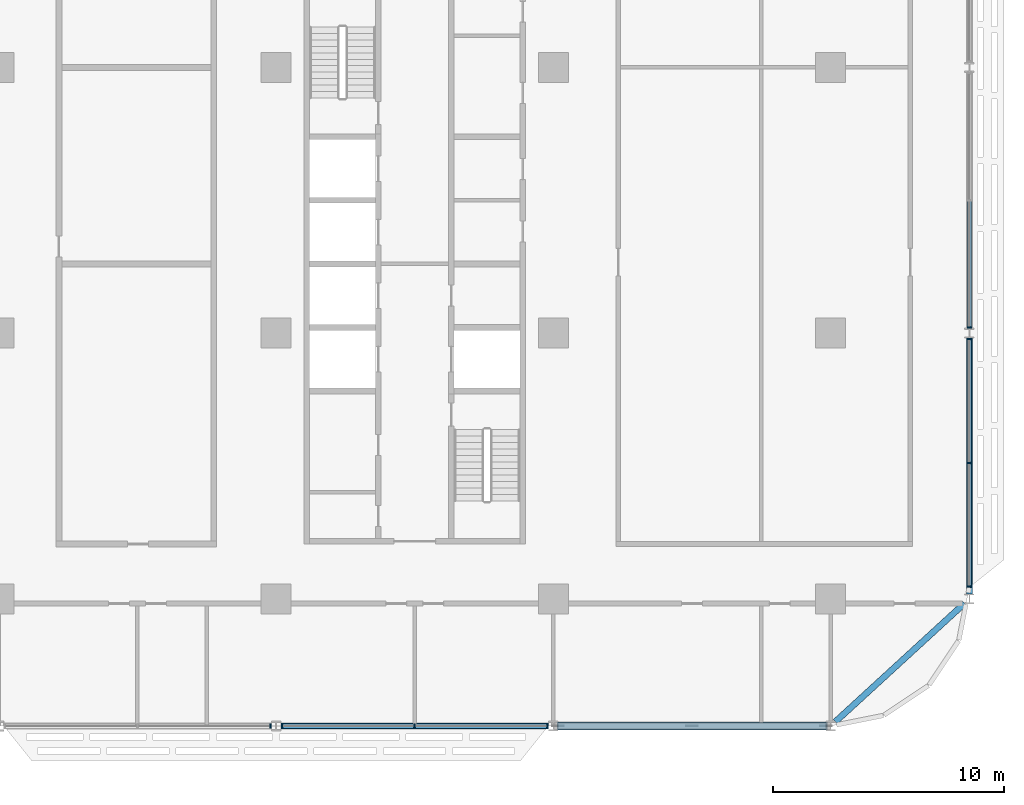
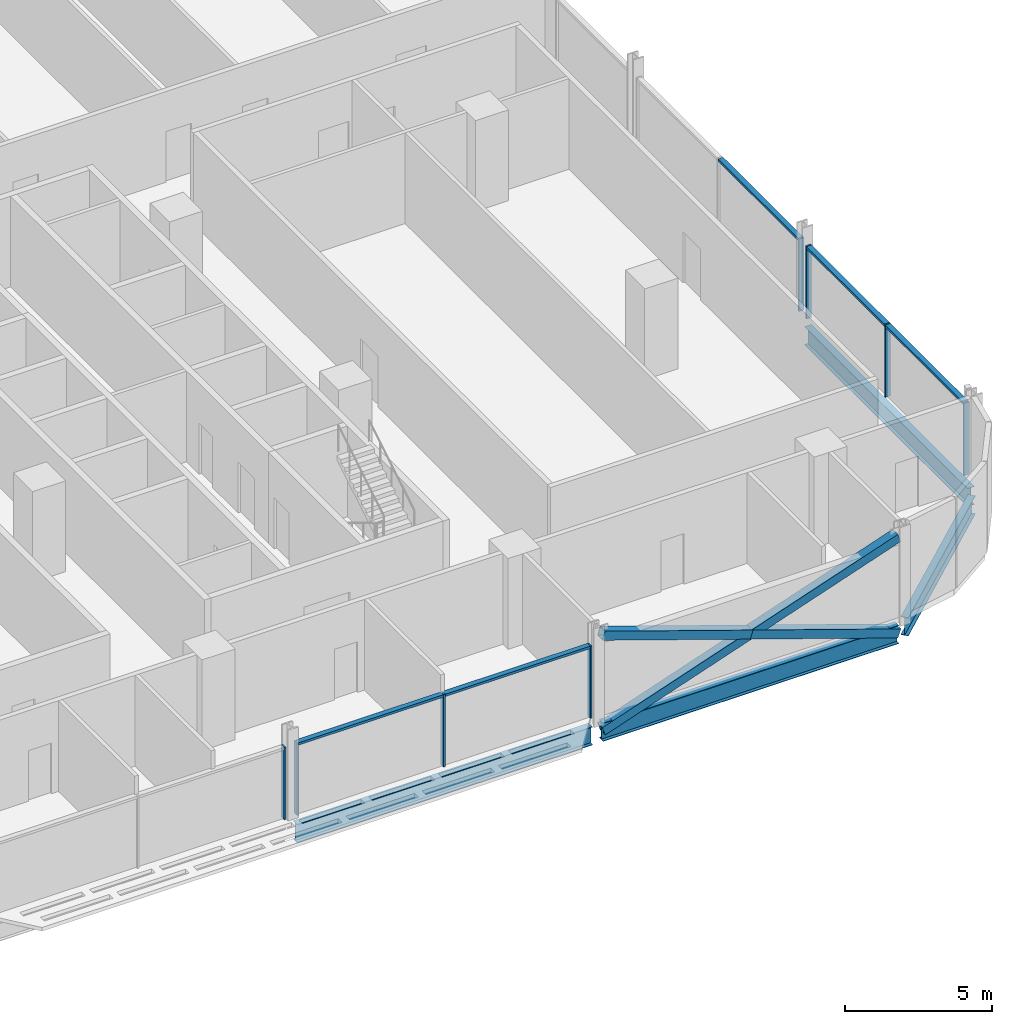
# One storey, part 8 of 29: 16 members, 4 beams, 4 elements without a shape of their own.
"""IFC4 building model written with IfcOpenShell, lengths in metres."""

from ifc_helpers import new_model, si_unit, direction, frame, origin, origin_2d, place, context, subcontext, project, spatial, rectangle, hollow_rectangle, i_section, extrude, material, material_profile, profile_set, type_object, element, aggregate, save


model = new_model("IFC4")

# Units and contexts
model_context = context("Model", 3, precision=1e-05, world=origin(), true_north=direction((0.0, 1.0)))
body_context = subcontext(model_context, "Body", "Model", "MODEL_VIEW")
ifc_project = project(units=[si_unit("LENGTHUNIT", "METRE"), si_unit("AREAUNIT", "SQUARE_METRE"), si_unit("VOLUMEUNIT", "CUBIC_METRE"), si_unit("PLANEANGLEUNIT", "RADIAN"), si_unit("MASSUNIT", "GRAM", prefix="KILO")], contexts=[model_context])

# Site, building, storey
site_placement = place(None, origin())
site = spatial("IfcSite", under=ifc_project, at=site_placement, CompositionType="ELEMENT")
building_placement = place(site_placement, origin())
building = spatial("IfcBuilding", under=site, at=building_placement, Name="Mahtab Terrace Research Tower", CompositionType="ELEMENT")
storey_placement = place(building_placement, frame((0.0, 0.0, 142.5)))
storey = spatial("IfcBuildingStorey", under=building, at=storey_placement, Name="L33", CompositionType="ELEMENT", Elevation=142.5)

# Members
ifc_material_1 = material(Name="Steel ASTM A500 Gr C", Category="steel")
ifc_material_profile_1 = material_profile(ifc_material_1, hollow_rectangle(XDim=0.355712890625, YDim=0.355712890625, WallThickness=0.01904296875, at=origin_2d()), Name="HSS14X14X3/4")
ifc_profile_set_1 = profile_set([ifc_material_profile_1], Name="Steel ASTM A500 Gr C")
member_type_1 = type_object("IfcMemberType", Name="HSS 14x14x3/4 brace XB141434", PredefinedType="BRACE", material=ifc_profile_set_1)
member_1_placement = place(storey_placement, frame((30.205810546875, -17.0, -0.648193359375), z_axis=(0.946288278, 0.0, 0.323324132908), x_axis=(0.0, 1.0, 0.0)))
element("IfcMember", 1, at=member_1_placement, inside=storey, type_object=member_type_1, Name="Exoskeleton brace L33 20 a", PredefinedType="BRACE", context=body_context, shape_type="SweptSolid", body=[
    extrude(hollow_rectangle(XDim=0.355712890625, YDim=0.355712890625, WallThickness=0.01904296875, at=origin_2d()), origin(), (0.0, 0.0, 1.0), 12.24609375),
])
for number, where, z_axis, x_axis, name in (
    (2, (41.794189453125, -17.0, -0.648193359375), (-0.946288278, 0.0, 0.323324132908), (0.0, -1.0, 0.0), "Exoskeleton brace L33 20 b1"),
    (3, (36.0, -17.0, 1.33154296875), (-0.946288278, 0.0, 0.323324132908), (0.0, -1.0, 0.0), "Exoskeleton brace L33 20 b2"),
):
    element("IfcMember", number, at=place(storey_placement, frame(where, z_axis=z_axis, x_axis=x_axis)), inside=storey, type_object=member_type_1, Name=name, PredefinedType="BRACE", context=body_context, shape_type="SweptSolid", body=[
        extrude(hollow_rectangle(XDim=0.355712890625, YDim=0.355712890625, WallThickness=0.01904296875, at=origin_2d()), origin(), (0.0, 0.0, 1.0), 6.123046875),
    ])

# Curtain wall, member
ifc_material_2 = material(Name="Laboratory ribbon curtain wall")
curtain_wall_type = type_object("IfcCurtainWallType", Name="Laboratory ribbon curtain wall", PredefinedType="NOTDEFINED", material=ifc_material_2)
curtain_wall_1_placement = place(storey_placement, origin())
curtain_wall_1 = element("IfcCurtainWall", 4, at=curtain_wall_1_placement, inside=storey, type_object=curtain_wall_type, Name="EN.L33.13.28", PredefinedType="NOTDEFINED")
ifc_material_3 = material(Name="Natural anodised aluminium", Category="aluminium")
ifc_material_profile_2 = material_profile(ifc_material_3, rectangle(XDim=0.199951171875, YDim=0.06494140625, at=origin_2d()), Name="MULLION 65x200")
ifc_profile_set_2 = profile_set([ifc_material_profile_2], Name="Natural anodised aluminium")
member_type_2 = type_object("IfcMemberType", Name="Laboratory ribbon curtain wall mullion", PredefinedType="MULLION", material=ifc_profile_set_2)
member_2_placement = place(storey_placement, frame((17.74951171875, -17.0, 0.0), z_axis=(0.0, 0.0, 1.0), x_axis=(0.0, 1.0, 0.0)))
member_2 = element("IfcMember", 5, at=member_2_placement, type_object=member_type_2, Name="CWL-4 mullion 3", PredefinedType="MULLION", context=body_context, shape_type="SweptSolid", body=[
    extrude(rectangle(XDim=0.199951171875, YDim=0.06494140625, at=origin_2d()), origin(), (0.0, 0.0, 1.0), 3.003173828125),
])
aggregate(curtain_wall_1, [member_2])

# Curtain wall, members
curtain_wall_2_placement = place(storey_placement, origin())
curtain_wall_2 = element("IfcCurtainWall", 6, at=curtain_wall_2_placement, inside=storey, type_object=curtain_wall_type, Name="EN.L33.13.29", PredefinedType="NOTDEFINED")
member_3_placement = place(storey_placement, frame((18.25048828125, -17.0, 0.0), z_axis=(0.0, 0.0, 1.0), x_axis=(0.0, 1.0, 0.0)))
member_3 = element("IfcMember", 7, at=member_3_placement, type_object=member_type_2, Name="CWL-4 mullion 1", PredefinedType="MULLION", context=body_context, shape_type="SweptSolid", body=[
    extrude(rectangle(XDim=0.199951171875, YDim=0.06494140625, at=origin_2d()), origin(), (0.0, 0.0, 1.0), 3.003173828125),
])
member_4_placement = place(storey_placement, frame((24.0, -17.0, 0.0), z_axis=(0.0, 0.0, 1.0), x_axis=(0.0, 1.0, 0.0)))
member_4 = element("IfcMember", 8, at=member_4_placement, type_object=member_type_2, Name="CWL-4 mullion 2", PredefinedType="MULLION", context=body_context, shape_type="SweptSolid", body=[
    extrude(rectangle(XDim=0.199951171875, YDim=0.06494140625, at=origin_2d()), origin(), (0.0, 0.0, 1.0), 3.003173828125),
])
member_5_placement = place(storey_placement, frame((29.74951171875, -17.0, 0.0), z_axis=(0.0, 0.0, 1.0), x_axis=(0.0, 1.0, 0.0)))
member_5 = element("IfcMember", 9, at=member_5_placement, type_object=member_type_2, Name="CWL-4 mullion 3", PredefinedType="MULLION", context=body_context, shape_type="SweptSolid", body=[
    extrude(rectangle(XDim=0.199951171875, YDim=0.06494140625, at=origin_2d()), origin(), (0.0, 0.0, 1.0), 3.003173828125),
])

curtain_wall_3_placement = place(storey_placement, origin())
curtain_wall_3 = element("IfcCurtainWall", 10, at=curtain_wall_3_placement, inside=storey, type_object=curtain_wall_type, Name="EN.L33.18.36", PredefinedType="NOTDEFINED")
member_6_placement = place(storey_placement, frame((48.0, -10.967529296875, 0.0), z_axis=(0.0, 0.0, 1.0), x_axis=(-1.0, 0.0, 0.0)))
member_6 = element("IfcMember", 11, at=member_6_placement, type_object=member_type_2, Name="CWL-4 mullion 1", PredefinedType="MULLION", context=body_context, shape_type="SweptSolid", body=[
    extrude(rectangle(XDim=0.199951171875, YDim=0.06494140625, at=origin_2d()), origin(), (0.0, 0.0, 1.0), 3.003173828125),
])
member_7_placement = place(storey_placement, frame((48.0, -5.60888671875, 0.0), z_axis=(0.0, 0.0, 1.0), x_axis=(-1.0, 0.0, 0.0)))
member_7 = element("IfcMember", 12, at=member_7_placement, type_object=member_type_2, Name="CWL-4 mullion 2", PredefinedType="MULLION", context=body_context, shape_type="SweptSolid", body=[
    extrude(rectangle(XDim=0.199951171875, YDim=0.06494140625, at=origin_2d()), origin(), (0.0, 0.0, 1.0), 3.003173828125),
])
member_8_placement = place(storey_placement, frame((48.0, -0.25048828125, 0.0), z_axis=(0.0, 0.0, 1.0), x_axis=(-1.0, 0.0, 0.0)))
member_8 = element("IfcMember", 13, at=member_8_placement, type_object=member_type_2, Name="CWL-4 mullion 3", PredefinedType="MULLION", context=body_context, shape_type="SweptSolid", body=[
    extrude(rectangle(XDim=0.199951171875, YDim=0.06494140625, at=origin_2d()), origin(), (0.0, 0.0, 1.0), 3.003173828125),
])

# Curtain wall, member
curtain_wall_4_placement = place(storey_placement, origin())
curtain_wall_4 = element("IfcCurtainWall", 14, at=curtain_wall_4_placement, inside=storey, type_object=curtain_wall_type, Name="EN.L33.18.37", PredefinedType="NOTDEFINED")
member_9_placement = place(storey_placement, frame((48.0, 0.25048828125, 0.0), z_axis=(0.0, 0.0, 1.0), x_axis=(-1.0, 0.0, 0.0)))
member_9 = element("IfcMember", 15, at=member_9_placement, type_object=member_type_2, Name="CWL-4 mullion 1", PredefinedType="MULLION", context=body_context, shape_type="SweptSolid", body=[
    extrude(rectangle(XDim=0.199951171875, YDim=0.06494140625, at=origin_2d()), origin(), (0.0, 0.0, 1.0), 3.003173828125),
])

# Member
ifc_material_profile_3 = material_profile(ifc_material_3, rectangle(XDim=0.199951171875, YDim=0.10009765625, at=origin_2d()), Name="TRANSOM 100x200")
ifc_profile_set_3 = profile_set([ifc_material_profile_3], Name="Natural anodised aluminium")
member_type_3 = type_object("IfcMemberType", Name="Laboratory ribbon curtain wall transom", PredefinedType="USERDEFINED", material=ifc_profile_set_3)
member_10_placement = place(storey_placement, frame((18.282958984375, -17.0, 2.953125), z_axis=(1.0, 0.0, 0.0), x_axis=(0.0, 1.0, 0.0)))
member_10 = element("IfcMember", 16, at=member_10_placement, type_object=member_type_3, Name="CWL-4 transom 1", ObjectType="TRANSOM", PredefinedType="USERDEFINED", context=body_context, shape_type="SweptSolid", body=[
    extrude(rectangle(XDim=0.199951171875, YDim=0.10009765625, at=origin_2d()), origin(), (0.0, 0.0, 1.0), 5.6845703125),
])

member_11_placement = place(storey_placement, frame((24.032470703125, -17.0, 2.953125), z_axis=(1.0, 0.0, 0.0), x_axis=(0.0, 1.0, 0.0)))
member_11 = element("IfcMember", 17, at=member_11_placement, type_object=member_type_3, Name="CWL-4 transom 2", ObjectType="TRANSOM", PredefinedType="USERDEFINED", context=body_context, shape_type="SweptSolid", body=[
    extrude(rectangle(XDim=0.199951171875, YDim=0.10009765625, at=origin_2d()), origin(), (0.0, 0.0, 1.0), 5.6845703125),
])

aggregate(curtain_wall_2, [member_3, member_4, member_5, member_10, member_11])

member_12_placement = place(storey_placement, frame((48.0, -10.93505859375, 2.953125), z_axis=(0.0, 1.0, 0.0), x_axis=(-1.0, 0.0, 0.0)))
member_12 = element("IfcMember", 18, at=member_12_placement, type_object=member_type_3, Name="CWL-4 transom 1", ObjectType="TRANSOM", PredefinedType="USERDEFINED", context=body_context, shape_type="SweptSolid", body=[
    extrude(rectangle(XDim=0.199951171875, YDim=0.10009765625, at=origin_2d()), origin(), (0.0, 0.0, 1.0), 5.29345703125),
])

member_13_placement = place(storey_placement, frame((48.0, -5.576416015625, 2.953125), z_axis=(0.0, 1.0, 0.0), x_axis=(-1.0, 0.0, 0.0)))
member_13 = element("IfcMember", 19, at=member_13_placement, type_object=member_type_3, Name="CWL-4 transom 2", ObjectType="TRANSOM", PredefinedType="USERDEFINED", context=body_context, shape_type="SweptSolid", body=[
    extrude(rectangle(XDim=0.199951171875, YDim=0.10009765625, at=origin_2d()), origin(), (0.0, 0.0, 1.0), 5.29345703125),
])

aggregate(curtain_wall_3, [member_6, member_7, member_8, member_12, member_13])

member_14_placement = place(storey_placement, frame((48.0, 0.282958984375, 2.953125), z_axis=(0.0, 1.0, 0.0), x_axis=(-1.0, 0.0, 0.0)))
member_14 = element("IfcMember", 20, at=member_14_placement, type_object=member_type_3, Name="CWL-4 transom 1", ObjectType="TRANSOM", PredefinedType="USERDEFINED", context=body_context, shape_type="SweptSolid", body=[
    extrude(rectangle(XDim=0.199951171875, YDim=0.10009765625, at=origin_2d()), origin(), (0.0, 0.0, 1.0), 5.4345703125),
])

aggregate(curtain_wall_4, [member_9, member_14])

# Beams
ifc_material_4 = material(Name="Steel ASTM A992 Gr 50", Category="steel")
ifc_material_profile_4 = material_profile(ifc_material_4, i_section(OverallWidth=0.2666015625, OverallDepth=0.7568359375, WebThickness=0.013916015625, FlangeThickness=0.019287109375, at=origin_2d()), Name="W30X108")
ifc_profile_set_4 = profile_set([ifc_material_profile_4], Name="Steel ASTM A992 Gr 50")
beam_type = type_object("IfcBeamType", Name="W30x108 beam BS30108", PredefinedType="BEAM", material=ifc_profile_set_4)
for number, where, z_axis, x_axis, name in (
    (21, (18.205810546875, -17.0, -0.718505859375), (1.0, 0.0, 0.0), (0.0, 1.0, 0.0), "Spandrel beam L33 19"),
    (22, (30.205810546875, -17.0, -0.718505859375), (1.0, 0.0, 0.0), (0.0, 1.0, 0.0), "Spandrel beam L33 20"),
):
    element("IfcBeam", number, at=place(storey_placement, frame(where, z_axis=z_axis, x_axis=x_axis)), inside=storey, type_object=beam_type, Name=name, PredefinedType="BEAM", context=body_context, shape_type="SweptSolid", body=[
        extrude(i_section(OverallWidth=0.2666015625, OverallDepth=0.7568359375, WebThickness=0.013916015625, FlangeThickness=0.019287109375, at=origin_2d()), origin(), (0.0, 0.0, 1.0), 11.58837890625),
    ])
beam_1_placement = place(storey_placement, frame((42.205810546875, -16.811279296875, -0.718505859375), z_axis=(0.737162160905, 0.675715878554, 0.0), x_axis=(-0.675715878554, 0.737162160905, 0.0)))
element("IfcBeam", 23, at=beam_1_placement, inside=storey, type_object=beam_type, Name="Spandrel beam L33 21", PredefinedType="BEAM", context=body_context, shape_type="SweptSolid", body=[
    extrude(i_section(OverallWidth=0.2666015625, OverallDepth=0.7568359375, WebThickness=0.013916015625, FlangeThickness=0.019287109375, at=origin_2d()), origin(), (0.0, 0.0, 1.0), 7.5810546875),
])
beam_2_placement = place(storey_placement, frame((48.0, -11.282958984375, -0.718505859375), z_axis=(0.0, 1.0, 0.0), x_axis=(-1.0, 0.0, 0.0)))
element("IfcBeam", 24, at=beam_2_placement, inside=storey, type_object=beam_type, Name="Spandrel beam L33 22", PredefinedType="BEAM", context=body_context, shape_type="SweptSolid", body=[
    extrude(i_section(OverallWidth=0.2666015625, OverallDepth=0.7568359375, WebThickness=0.013916015625, FlangeThickness=0.019287109375, at=origin_2d()), origin(), (0.0, 0.0, 1.0), 11.06591796875),
])

save(model, "model.ifc")
